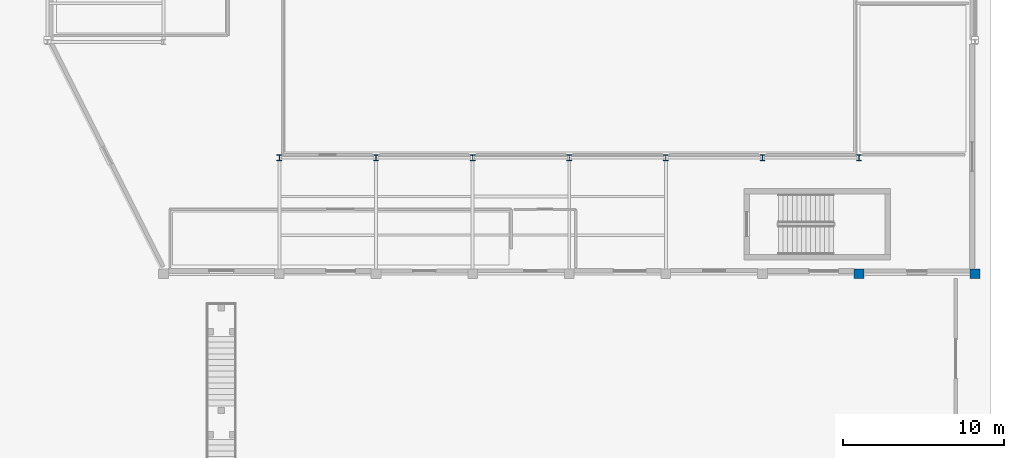
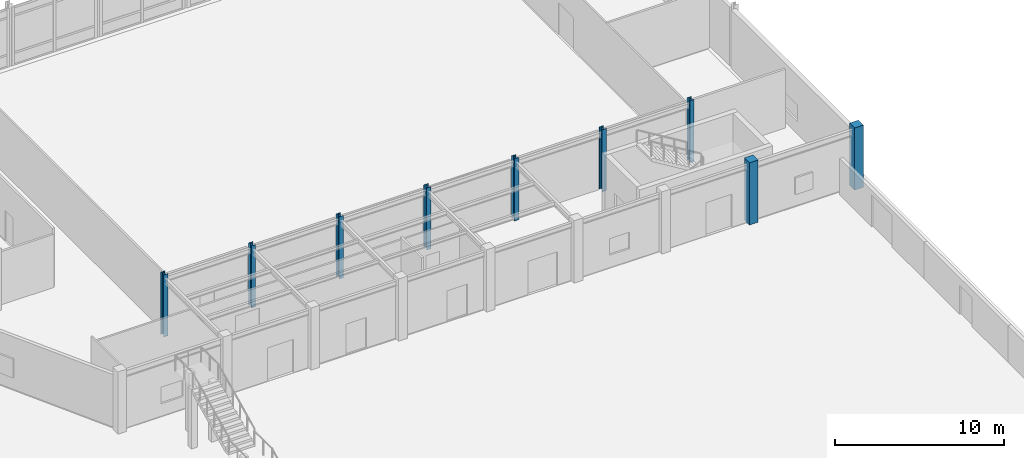
# One storey, part 5 of 58: 9 columns.
"""IFC4 building model written with IfcOpenShell, lengths in metres."""

import ifcopenshell
import ifcopenshell.guid

model = None  # the IFC model being written
_history = None  # IfcOwnerHistory: only IFC2X3 demands one
_inside = {}  # id of a spatial element -> (the spatial element, [elements in it])
_under = {}  # id of a project, library or spatial element -> (it, [spatial elements below it])
_declared = {}  # id of a project -> (the project, [libraries it declares])
_typed = {}  # id of a type object -> (the type object, [elements of that type])
_made_of = {}  # id of a material, layer set ... -> (it, [elements and type objects made of it])


def new_model(schema):
    """Start an empty IFC model of exactly this schema.

    Asked for "IFC4X3", IfcOpenShell would pick the latest addendum, in which some entities
    have other attributes; the version numbers below select the first issue.
    IFC2X3 requires an IfcOwnerHistory on every rooted entity: one is made here for all.
    """
    global model, _history
    if schema == "IFC4X3":
        model = ifcopenshell.file(schema_version=(4, 3, 0, 0))
    else:
        model = ifcopenshell.file(schema=schema)
    _inside.clear()
    _under.clear()
    _declared.clear()
    _typed.clear()
    _made_of.clear()
    _history = None
    if model.schema == "IFC2X3":
        org = make("IfcOrganization", Name="unknown")
        user = make(
            "IfcPersonAndOrganization",
            ThePerson=make("IfcPerson", FamilyName="unknown"),
            TheOrganization=org,
        )
        app = make(
            "IfcApplication",
            ApplicationDeveloper=org,
            Version="unknown",
            ApplicationFullName="unknown",
            ApplicationIdentifier="unknown",
        )
        _history = make(
            "IfcOwnerHistory",
            OwningUser=user,
            OwningApplication=app,
            ChangeAction="ADDED",
            CreationDate=0,
        )
    return model


def make(cls, **values):
    """One entity of the class cls with the attributes given. An attribute that is None is left unset."""
    return model.create_entity(
        cls, **{name: value for name, value in values.items() if value is not None}
    )


def rooted(cls, **values):
    """An entity with a GlobalId (a new one), such as an element, a storey or a relation."""
    return make(cls, GlobalId=ifcopenshell.guid.new(), OwnerHistory=_history, **values)


def si_unit(unit_type, name, prefix=None):
    """IfcSIUnit, for example si_unit("LENGTHUNIT", "METRE", prefix="MILLI")."""
    return make("IfcSIUnit", UnitType=unit_type, Prefix=prefix, Name=name)


def assignment(units):
    """IfcUnitAssignment: the units of a project."""
    return None if units is None else make("IfcUnitAssignment", Units=units)


def point(xyz):
    """IfcCartesianPoint."""
    return None if xyz is None else make("IfcCartesianPoint", Coordinates=xyz)


def direction(xyz):
    """IfcDirection."""
    return None if xyz is None else make("IfcDirection", DirectionRatios=xyz)


def frame(location, z_axis=None, x_axis=None):
    """IfcAxis2Placement3D, a coordinate frame: its origin and axes. An axis left out is left unset."""
    return make(
        "IfcAxis2Placement3D",
        Location=point(location),
        Axis=direction(z_axis),
        RefDirection=direction(x_axis),
    )


def frame_2d(location, x_axis=None):
    """IfcAxis2Placement2D, a coordinate frame in the plane: its origin and x axis."""
    return make(
        "IfcAxis2Placement2D", Location=point(location), RefDirection=direction(x_axis)
    )


def origin():
    """The frame at (0, 0, 0) with its axes left unset."""
    return frame((0.0, 0.0, 0.0))


def origin_2d():
    """The frame at (0, 0) in the plane with its x axis left unset."""
    return frame_2d((0.0, 0.0))


def place(relative_to, where):
    """IfcLocalPlacement: puts the frame where relative to a parent placement (None: the world)."""
    return make(
        "IfcLocalPlacement", PlacementRelTo=relative_to, RelativePlacement=where
    )


def context(
    kind, dimensions, precision=None, world=None, true_north=None, identifier=None
):
    """IfcGeometricRepresentationContext, for example the 3D "Model" context."""
    return make(
        "IfcGeometricRepresentationContext",
        ContextIdentifier=identifier,
        ContextType=kind,
        CoordinateSpaceDimension=dimensions,
        Precision=precision,
        WorldCoordinateSystem=world,
        TrueNorth=true_north,
    )


def subcontext(parent, identifier, kind, view, scale=None):
    """IfcGeometricRepresentationSubContext, for example "Body" below "Model"."""
    return make(
        "IfcGeometricRepresentationSubContext",
        ContextIdentifier=identifier,
        ContextType=kind,
        ParentContext=parent,
        TargetScale=scale,
        TargetView=view,
    )


def project(units=None, contexts=None):
    """IfcProject with its units and contexts."""
    return rooted(
        "IfcProject",
        Name="project",
        RepresentationContexts=contexts,
        UnitsInContext=assignment(units),
    )


def spatial(cls, under=None, at=None, **own):
    """A site, building, storey or space (cls), placed at a placement, below another one or the project."""
    s = rooted(cls, ObjectPlacement=at, **own)
    if under is not None:
        _under.setdefault(under.id(), (under, []))[1].append(s)
    return s


def profile(cls, at=None, kind="AREA", **sizes):
    """A parametric profile (cls). Its sizes go by their IFC names, for example OverallWidth=200.0."""
    return make(cls, ProfileType=kind, Position=at, **sizes)


def rectangle(**sizes):
    """IfcRectangleProfileDef."""
    return profile("IfcRectangleProfileDef", **sizes)


def i_section(**sizes):
    """IfcIShapeProfileDef."""
    return profile("IfcIShapeProfileDef", **sizes)


def extrude(swept, where, along, depth):
    """IfcExtrudedAreaSolid: the profile swept, set in the frame where, extruded along a direction by depth."""
    return make(
        "IfcExtrudedAreaSolid",
        SweptArea=swept,
        Position=where,
        ExtrudedDirection=direction(along),
        Depth=depth,
    )


def shape(context_of_items, identifier, shape_type, items):
    """IfcShapeRepresentation: the items that make up one representation, for example the "Body"."""
    return make(
        "IfcShapeRepresentation",
        ContextOfItems=context_of_items,
        RepresentationIdentifier=identifier,
        RepresentationType=shape_type,
        Items=items,
    )


def material(Name=None, Category=None):
    """IfcMaterial."""
    return make("IfcMaterial", Name=Name, Category=Category)


def material_profile(
    of_material, cross_section, Name=None, Category=None, Priority=None
):
    """IfcMaterialProfile: a cross section and its material."""
    return make(
        "IfcMaterialProfile",
        Name=Name,
        Material=of_material,
        Profile=cross_section,
        Priority=Priority,
        Category=Category,
    )


def profile_set(profiles, Name=None, composite=None):
    """IfcMaterialProfileSet."""
    return make(
        "IfcMaterialProfileSet",
        Name=Name,
        MaterialProfiles=profiles,
        CompositeProfile=composite,
    )


def made_of(thing, what):
    """Note that an element or type object is made of a material, layer set ...; save() writes the relation."""
    if what is not None:
        _made_of.setdefault(what.id(), (what, []))[1].append(thing)
    return thing


def type_object(cls, material=None, **own):
    """A type object (cls), such as IfcWallType, which elements share."""
    return made_of(rooted(cls, **own), material)


def element(
    cls,
    number,
    at=None,
    inside=None,
    cuts=None,
    type_object=None,
    material=None,
    context=None,
    identifier="Body",
    shape_type=None,
    held_by="IfcProductDefinitionShape",
    body=None,
    shapes=None,
    **own,
):
    """One element of the class cls, such as IfcWall. Its Tag is "e" and its number.

    at: its placement. inside: the storey or other place that contains it. cuts: it is an
    opening in that element (IfcRelVoidsElement). A single representation is given by context,
    identifier, shape_type and body (its items); several are given by shapes. held_by: the class
    of the entity that holds the representations. save() writes the other relations.
    """
    e = rooted(cls, Tag="e%d" % number, ObjectPlacement=at, **own)
    if body is not None:
        shapes = [shape(context, identifier, shape_type, body)]
    if shapes is not None:
        e.Representation = make(held_by, Representations=shapes)
    if inside is not None:
        _inside.setdefault(inside.id(), (inside, []))[1].append(e)
    if cuts is not None:
        rooted(
            "IfcRelVoidsElement", RelatingBuildingElement=cuts, RelatedOpeningElement=e
        )
    if type_object is not None:
        _typed.setdefault(type_object.id(), (type_object, []))[1].append(e)
    return made_of(e, material)


def aggregate(whole, parts):
    """IfcRelAggregates: a whole, such as a stair, and the parts it consists of."""
    return rooted("IfcRelAggregates", RelatingObject=whole, RelatedObjects=parts)


def save(model, path):
    """Write the relations noted so far, then the file.

    IfcRelAggregates (storeys below a building ...), IfcRelContainedInSpatialStructure (elements
    in a storey), IfcRelDefinesByType, IfcRelAssociatesMaterial and IfcRelDeclares: one each for
    every whole, place, type object, material and project.
    """
    for whole, parts in _under.values():
        aggregate(whole, parts)
    for where, things in _inside.values():
        rooted(
            "IfcRelContainedInSpatialStructure",
            RelatedElements=things,
            RelatingStructure=where,
        )
    for kind, things in _typed.values():
        rooted("IfcRelDefinesByType", RelatedObjects=things, RelatingType=kind)
    for what, things in _made_of.values():
        rooted("IfcRelAssociatesMaterial", RelatedObjects=things, RelatingMaterial=what)
    for by, libraries in _declared.values():
        rooted("IfcRelDeclares", RelatingContext=by, RelatedDefinitions=libraries)
    model.write(path)


model = new_model("IFC4")

# Units and contexts
model_context = context("Model", 3, precision=1e-05, world=origin(), true_north=direction((0.0, 1.0)))
body_context = subcontext(model_context, "Body", "Model", "MODEL_VIEW")
ifc_project = project(units=[si_unit("LENGTHUNIT", "METRE"), si_unit("AREAUNIT", "SQUARE_METRE"), si_unit("VOLUMEUNIT", "CUBIC_METRE"), si_unit("PLANEANGLEUNIT", "RADIAN"), si_unit("MASSUNIT", "GRAM", prefix="KILO")], contexts=[model_context])

# Site, building, storey
site_placement = place(None, origin())
site = spatial("IfcSite", under=ifc_project, at=site_placement, CompositionType="ELEMENT")
building_placement = place(site_placement, origin())
building = spatial("IfcBuilding", under=site, at=building_placement, Name="Brisavento Harbour Community Centre", CompositionType="ELEMENT")
storey_placement = place(building_placement, origin())
storey = spatial("IfcBuildingStorey", under=building, at=storey_placement, Name="L00", CompositionType="ELEMENT", Elevation=0.0)

# Columns
ifc_material_1 = material(Name="Concrete C35/45", Category="concrete")
ifc_material_profile_1 = material_profile(ifc_material_1, rectangle(XDim=0.60009765625, YDim=0.60009765625, at=origin_2d()), Name="Concrete C35/45")
ifc_profile_set_1 = profile_set([ifc_material_profile_1], Name="Concrete C35/45")
column_type_1 = type_object("IfcColumnType", Name="COL-RC-600", PredefinedType="COLUMN", material=ifc_profile_set_1)
for number, where, z_axis, x_axis, name in (
    (1, (165.60009765625, 79.199951171875, 0.0), (0.0, 0.0, 1.0), (1.0, 0.0, 0.0), "L00 column V4SB-7"),
    (2, (172.800048828125, 79.199951171875, 0.0), (0.0, 0.0, 1.0), (1.0, 0.0, 0.0), "L00 column V4SE-CORN"),
):
    element("IfcColumn", number, at=place(storey_placement, frame(where, z_axis=z_axis, x_axis=x_axis)), inside=storey, type_object=column_type_1, Name=name, PredefinedType="COLUMN", context=body_context, shape_type="SweptSolid", body=[
        extrude(rectangle(XDim=0.60009765625, YDim=0.60009765625, at=origin_2d()), origin(), (0.0, 0.0, 1.0), 4.5),
    ])
ifc_material_2 = material(Name="Steel S355", Category="steel")
ifc_material_profile_2 = material_profile(ifc_material_2, i_section(OverallWidth=0.300048828125, OverallDepth=0.360107421875, WebThickness=0.012451171875, FlangeThickness=0.0224609375, FilletRadius=0.027099609375, at=origin_2d()), Name="Steel S355")
ifc_profile_set_2 = profile_set([ifc_material_profile_2], Name="Steel S355")
column_type_2 = type_object("IfcColumnType", Name="COL-STL-HEB360", PredefinedType="COLUMN", material=ifc_profile_set_2)
for number, where, z_axis, x_axis, name in (
    (3, (129.60009765625, 86.39990234375, 0.0), (0.0, 0.0, 1.0), (1.0, 0.0, 0.0), "L00 column V4TS-1"),
    (4, (135.60009765625, 86.39990234375, 0.0), (0.0, 0.0, 1.0), (1.0, 0.0, 0.0), "L00 column V4TS-2"),
    (5, (141.60009765625, 86.39990234375, 0.0), (0.0, 0.0, 1.0), (1.0, 0.0, 0.0), "L00 column V4TS-3"),
    (6, (147.60009765625, 86.39990234375, 0.0), (0.0, 0.0, 1.0), (1.0, 0.0, 0.0), "L00 column V4TS-4"),
    (7, (153.60009765625, 86.39990234375, 0.0), (0.0, 0.0, 1.0), (1.0, 0.0, 0.0), "L00 column V4TS-5"),
    (8, (159.60009765625, 86.39990234375, 0.0), (0.0, 0.0, 1.0), (1.0, 0.0, 0.0), "L00 column V4TS-6"),
    (9, (165.60009765625, 86.39990234375, 0.0), (0.0, 0.0, 1.0), (1.0, 0.0, 0.0), "L00 column V4TS-7"),
):
    element("IfcColumn", number, at=place(storey_placement, frame(where, z_axis=z_axis, x_axis=x_axis)), inside=storey, type_object=column_type_2, Name=name, PredefinedType="COLUMN", context=body_context, shape_type="SweptSolid", body=[
        extrude(i_section(OverallWidth=0.300048828125, OverallDepth=0.360107421875, WebThickness=0.012451171875, FlangeThickness=0.0224609375, FilletRadius=0.027099609375, at=origin_2d()), origin(), (0.0, 0.0, 1.0), 4.5),
    ])

save(model, "model.ifc")
